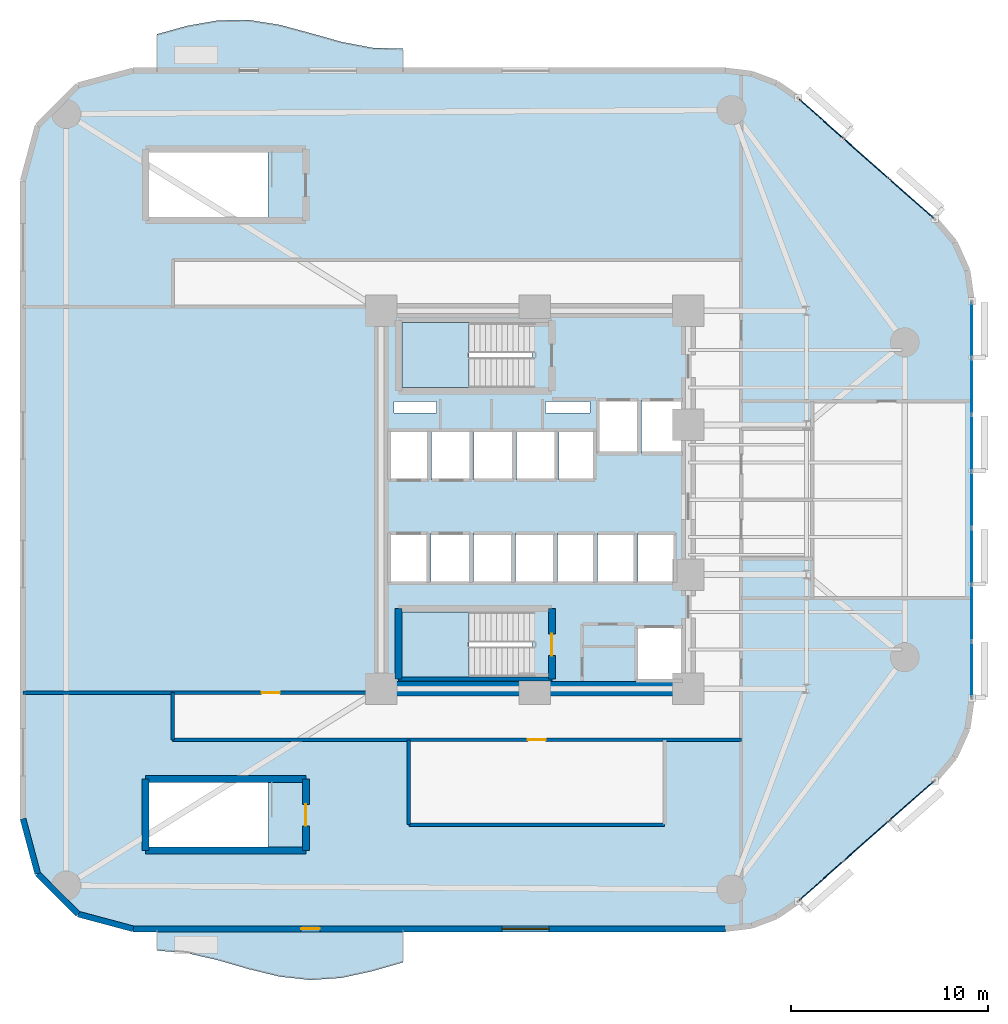
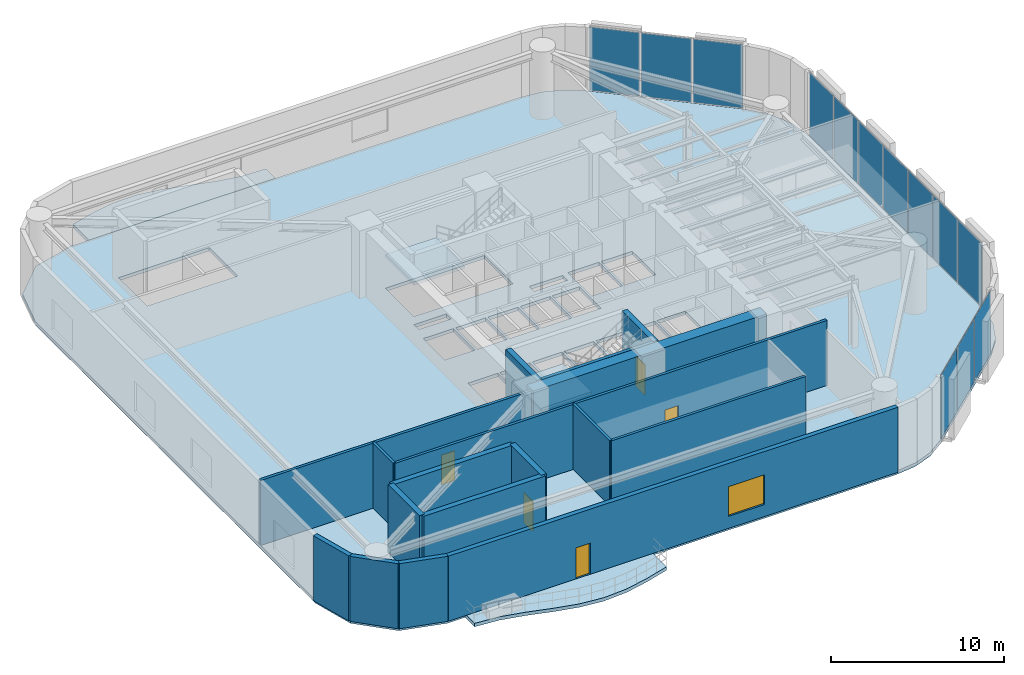
# One storey, part 8 of 13: 17 walls, 13 plates, 5 doors, 5 slabs, 1 window, 6 openings, 5 elements without a shape of their own.
"""IFC4 building model written with IfcOpenShell, lengths in metres."""

from ifc_helpers import new_model, si_unit, direction, frame, frame_2d, origin, origin_2d, place, context, subcontext, project, spatial, polyline, rectangle, outline, extrude, material, layer, layer_set, type_object, element, fill, aggregate, save


model = new_model("IFC4")

# Units and contexts
model_context = context("Model", 3, precision=1e-05, world=origin(), true_north=direction((0.0, 1.0)))
body_context = subcontext(model_context, "Body", "Model", "MODEL_VIEW")
ifc_project = project(units=[si_unit("LENGTHUNIT", "METRE"), si_unit("AREAUNIT", "SQUARE_METRE"), si_unit("VOLUMEUNIT", "CUBIC_METRE"), si_unit("PLANEANGLEUNIT", "RADIAN"), si_unit("MASSUNIT", "GRAM", prefix="KILO")], contexts=[model_context])

# Site, building, storey
site_placement = place(None, origin())
site = spatial("IfcSite", under=ifc_project, at=site_placement, CompositionType="ELEMENT")
building_placement = place(site_placement, origin())
building = spatial("IfcBuilding", under=site, at=building_placement, Name="An Khanh Terracotta Commons", CompositionType="ELEMENT")
storey_placement = place(building_placement, frame((0.0, 0.0, 24.0)))
storey = spatial("IfcBuildingStorey", under=building, at=storey_placement, Name="L06", CompositionType="ELEMENT", Elevation=24.0)

# Curtain wall, plates
ifc_material_1 = material(Name="Anodised Aluminium 6063-T6", Category="aluminium")
ifc_layer_1 = layer(ifc_material_1, 0.239990234375, Name="Anodised Aluminium 6063-T6")
ifc_layer_set_1 = layer_set([ifc_layer_1], Name="Anodised Aluminium 6063-T6")
curtain_wall_type = type_object("IfcCurtainWallType", Name="CW-SYS-04", PredefinedType="USERDEFINED", material=ifc_layer_set_1)
curtain_wall_1_placement = place(storey_placement, origin())
curtain_wall_1 = element("IfcCurtainWall", 1, at=curtain_wall_1_placement, inside=storey, type_object=curtain_wall_type, Name="L06 CW-04 Unitised Curtain Wall CW-L06-08", ObjectType="UNITISED CURTAIN WALL", PredefinedType="USERDEFINED")
ifc_material_2 = material(Name="Triple-Silver Sky-Lobby Glazing", Category="glass")
ifc_layer_2 = layer(ifc_material_2, 0.0400390625, Name="Triple-Silver Sky-Lobby Glazing")
ifc_layer_set_2 = layer_set([ifc_layer_2], Name="Triple-Silver Sky-Lobby Glazing")
plate_type = type_object("IfcPlateType", Name="CWP-IGU-40", PredefinedType="CURTAIN_PANEL", material=ifc_layer_set_2)
plate_1_placement = place(storey_placement, frame((43.95751953125, 4.6396484375, 0.06005859375), z_axis=(0.0, 0.0, 1.0), x_axis=(0.749019284633, 0.662548195415, 0.0)))
plate_1 = element("IfcPlate", 2, at=plate_1_placement, type_object=plate_type, Name="CW-04 panel 1.1", PredefinedType="CURTAIN_PANEL", context=body_context, shape_type="SweptSolid", body=[
    extrude(rectangle(XDim=2.9599609375, YDim=0.0400390625, at=origin_2d()), origin(), (0.0, 0.0, 1.0), 4.47998046875),
])
plate_2_placement = place(storey_placement, frame((46.24951171875, 6.6669921875, 0.06005859375), z_axis=(0.0, 0.0, 1.0), x_axis=(0.749019284633, 0.662548195415, 0.0)))
plate_2 = element("IfcPlate", 3, at=plate_2_placement, type_object=plate_type, Name="CW-04 panel 2.1", PredefinedType="CURTAIN_PANEL", context=body_context, shape_type="SweptSolid", body=[
    extrude(rectangle(XDim=3.0, YDim=0.0400390625, at=origin_2d()), origin(), (0.0, 0.0, 1.0), 4.47998046875),
])
plate_3_placement = place(storey_placement, frame((48.54150390625, 8.6943359375, 0.06005859375), z_axis=(0.0, 0.0, 1.0), x_axis=(0.749019284633, 0.662548195415, 0.0)))
plate_3 = element("IfcPlate", 4, at=plate_3_placement, type_object=plate_type, Name="CW-04 panel 3.1", PredefinedType="CURTAIN_PANEL", context=body_context, shape_type="SweptSolid", body=[
    extrude(rectangle(XDim=2.9599609375, YDim=0.0400390625, at=origin_2d()), origin(), (0.0, 0.0, 1.0), 4.47998046875),
])
aggregate(curtain_wall_1, [plate_1, plate_2, plate_3])

curtain_wall_2_placement = place(storey_placement, origin())
curtain_wall_2 = element("IfcCurtainWall", 5, at=curtain_wall_2_placement, inside=storey, type_object=curtain_wall_type, Name="L06 CW-04 Unitised Curtain Wall CW-L06-12", ObjectType="UNITISED CURTAIN WALL", PredefinedType="USERDEFINED")
plate_4_placement = place(storey_placement, frame((51.60009765625, 15.382568359375, 0.06005859375), z_axis=(0.0, 0.0, 1.0), x_axis=(0.0, 1.0, 0.0)))
plate_4 = element("IfcPlate", 6, at=plate_4_placement, type_object=plate_type, Name="CW-04 panel 1.1", PredefinedType="CURTAIN_PANEL", context=body_context, shape_type="SweptSolid", body=[
    extrude(rectangle(XDim=2.759033203125, YDim=0.0400390625, at=origin_2d()), origin(), (0.0, 0.0, 1.0), 4.47998046875),
])
plate_5_placement = place(storey_placement, frame((51.60009765625, 18.24169921875, 0.06005859375), z_axis=(0.0, 0.0, 1.0), x_axis=(0.0, 1.0, 0.0)))
plate_5 = element("IfcPlate", 7, at=plate_5_placement, type_object=plate_type, Name="CW-04 panel 2.1", PredefinedType="CURTAIN_PANEL", context=body_context, shape_type="SweptSolid", body=[
    extrude(rectangle(XDim=2.799072265625, YDim=0.0400390625, at=origin_2d()), origin(), (0.0, 0.0, 1.0), 4.47998046875),
])
plate_6_placement = place(storey_placement, frame((51.60009765625, 21.120849609375, 0.06005859375), z_axis=(0.0, 0.0, 1.0), x_axis=(0.0, 1.0, 0.0)))
plate_6 = element("IfcPlate", 8, at=plate_6_placement, type_object=plate_type, Name="CW-04 panel 3.1", PredefinedType="CURTAIN_PANEL", context=body_context, shape_type="SweptSolid", body=[
    extrude(rectangle(XDim=2.799072265625, YDim=0.0400390625, at=origin_2d()), origin(), (0.0, 0.0, 1.0), 4.47998046875),
])
plate_7_placement = place(storey_placement, frame((51.60009765625, 24.0, 0.06005859375), z_axis=(0.0, 0.0, 1.0), x_axis=(0.0, 1.0, 0.0)))
plate_7 = element("IfcPlate", 9, at=plate_7_placement, type_object=plate_type, Name="CW-04 panel 4.1", PredefinedType="CURTAIN_PANEL", context=body_context, shape_type="SweptSolid", body=[
    extrude(rectangle(XDim=2.799072265625, YDim=0.0400390625, at=origin_2d()), origin(), (0.0, 0.0, 1.0), 4.47998046875),
])
plate_8_placement = place(storey_placement, frame((51.60009765625, 26.879150390625, 0.06005859375), z_axis=(0.0, 0.0, 1.0), x_axis=(0.0, 1.0, 0.0)))
plate_8 = element("IfcPlate", 10, at=plate_8_placement, type_object=plate_type, Name="CW-04 panel 5.1", PredefinedType="CURTAIN_PANEL", context=body_context, shape_type="SweptSolid", body=[
    extrude(rectangle(XDim=2.799072265625, YDim=0.0400390625, at=origin_2d()), origin(), (0.0, 0.0, 1.0), 4.47998046875),
])
plate_9_placement = place(storey_placement, frame((51.60009765625, 29.75830078125, 0.06005859375), z_axis=(0.0, 0.0, 1.0), x_axis=(0.0, 1.0, 0.0)))
plate_9 = element("IfcPlate", 11, at=plate_9_placement, type_object=plate_type, Name="CW-04 panel 6.1", PredefinedType="CURTAIN_PANEL", context=body_context, shape_type="SweptSolid", body=[
    extrude(rectangle(XDim=2.799072265625, YDim=0.0400390625, at=origin_2d()), origin(), (0.0, 0.0, 1.0), 4.47998046875),
])
plate_10_placement = place(storey_placement, frame((51.60009765625, 32.617431640625, 0.06005859375), z_axis=(0.0, 0.0, 1.0), x_axis=(0.0, 1.0, 0.0)))
plate_10 = element("IfcPlate", 12, at=plate_10_placement, type_object=plate_type, Name="CW-04 panel 7.1", PredefinedType="CURTAIN_PANEL", context=body_context, shape_type="SweptSolid", body=[
    extrude(rectangle(XDim=2.759033203125, YDim=0.0400390625, at=origin_2d()), origin(), (0.0, 0.0, 1.0), 4.47998046875),
])
aggregate(curtain_wall_2, [plate_4, plate_5, plate_6, plate_7, plate_8, plate_9, plate_10])

curtain_wall_3_placement = place(storey_placement, origin())
curtain_wall_3 = element("IfcCurtainWall", 13, at=curtain_wall_3_placement, inside=storey, type_object=curtain_wall_type, Name="L06 CW-04 Unitised Curtain Wall CW-L06-16", ObjectType="UNITISED CURTAIN WALL", PredefinedType="USERDEFINED")
plate_11_placement = place(storey_placement, frame((48.54150390625, 39.3056640625, 0.06005859375), z_axis=(0.0, 0.0, 1.0), x_axis=(-0.749019284633, 0.662548195415, 0.0)))
plate_11 = element("IfcPlate", 14, at=plate_11_placement, type_object=plate_type, Name="CW-04 panel 1.1", PredefinedType="CURTAIN_PANEL", context=body_context, shape_type="SweptSolid", body=[
    extrude(rectangle(XDim=2.9599609375, YDim=0.0400390625, at=origin_2d()), origin(), (0.0, 0.0, 1.0), 4.47998046875),
])
plate_12_placement = place(storey_placement, frame((46.24951171875, 41.3330078125, 0.06005859375), z_axis=(0.0, 0.0, 1.0), x_axis=(-0.749019284633, 0.662548195415, 0.0)))
plate_12 = element("IfcPlate", 15, at=plate_12_placement, type_object=plate_type, Name="CW-04 panel 2.1", PredefinedType="CURTAIN_PANEL", context=body_context, shape_type="SweptSolid", body=[
    extrude(rectangle(XDim=3.0, YDim=0.0400390625, at=origin_2d()), origin(), (0.0, 0.0, 1.0), 4.47998046875),
])
plate_13_placement = place(storey_placement, frame((43.95751953125, 43.3603515625, 0.06005859375), z_axis=(0.0, 0.0, 1.0), x_axis=(-0.749019284633, 0.662548195415, 0.0)))
plate_13 = element("IfcPlate", 16, at=plate_13_placement, type_object=plate_type, Name="CW-04 panel 3.1", PredefinedType="CURTAIN_PANEL", context=body_context, shape_type="SweptSolid", body=[
    extrude(rectangle(XDim=2.9599609375, YDim=0.0400390625, at=origin_2d()), origin(), (0.0, 0.0, 1.0), 4.47998046875),
])
aggregate(curtain_wall_3, [plate_11, plate_12, plate_13])

# Slabs
ifc_material_3 = material(Name="Concrete C40/50", Category="concrete")
ifc_layer_3 = layer(ifc_material_3, 0.239990234375, Name="Concrete C40/50")
ifc_layer_set_3 = layer_set([ifc_layer_3], Name="Concrete C40/50")
slab_type_1 = type_object("IfcSlabType", Name="SLAB-BALC-240", PredefinedType="FLOOR", material=ifc_layer_set_3)
slab_1_placement = place(storey_placement, frame((0.0, 0.0, -0.239990234375)))
element("IfcSlab", 17, at=slab_1_placement, inside=storey, type_object=slab_type_1, Name="L06 S Sinusoidal Wave Balcony Slab", PredefinedType="FLOOR", context=body_context, shape_type="SweptSolid", body=[
    extrude(outline(polyline([(10.199951171875, 2.199951171875), (10.199951171875, 1.10009765625), (11.761962890625, 0.962890625), (13.324951171875, 0.60302734375), (14.886962890625, 0.14990234375), (16.449951171875, -0.22998046875), (18.011962890625, -0.39794921875), (19.574951171875, -0.29296875), (21.136962890625, 0.0458984375), (22.699951171875, 0.49609375), (22.699951171875, 2.199951171875), (10.199951171875, 2.199951171875)])), origin(), (0.0, 0.0, 1.0), 0.239990234375),
])
slab_2_placement = place(storey_placement, frame((0.0, 0.0, -0.239990234375)))
element("IfcSlab", 18, at=slab_2_placement, inside=storey, type_object=slab_type_1, Name="L06 N Sinusoidal Wave Balcony Slab", PredefinedType="FLOOR", context=body_context, shape_type="SweptSolid", body=[
    extrude(outline(polyline([(22.699951171875, 45.800048828125), (22.699951171875, 46.9140625), (21.136962890625, 46.964111328125), (19.574951171875, 47.263916015625), (18.011962890625, 47.705078125), (16.449951171875, 48.1259765625), (14.886962890625, 48.373046875), (13.324951171875, 48.35595703125), (11.761962890625, 48.08203125), (10.199951171875, 47.64990234375), (10.199951171875, 45.800048828125), (22.699951171875, 45.800048828125)])), origin(), (0.0, 0.0, 1.0), 0.239990234375),
])

# Stair, slab
ifc_material_4 = material(Name="Precast concrete C40/50", Category="concrete")
stair_type = type_object("IfcStairType", Name="STAIR-CORE-1550", PredefinedType="HALF_TURN_STAIR", material=ifc_material_4)
stair_1_placement = place(storey_placement, origin())
stair_1 = element("IfcStair", 19, at=stair_1_placement, inside=storey, type_object=stair_type, Name="L06 Core Smokeproof Exit Stair ST-01", PredefinedType="HALF_TURN_STAIR")
ifc_layer_4 = layer(ifc_material_3, 0.18994140625, Name="Concrete C40/50")
ifc_layer_set_4 = layer_set([ifc_layer_4], Name="Concrete C40/50")
slab_type_2 = type_object("IfcSlabType", Name="SLAB-LANDING-190", PredefinedType="LANDING", material=ifc_layer_set_4)
slab_3_placement = place(storey_placement, frame((0.0, 0.0, 2.199951171875)))
slab_3 = element("IfcSlab", 20, at=slab_3_placement, type_object=slab_type_2, Name="ST-01 landing 1", PredefinedType="LANDING", context=body_context, shape_type="SweptSolid", body=[
    extrude(outline(polyline([(26.050048828125, 33.0), (22.64990234375, 33.0), (22.64990234375, 29.699951171875), (26.050048828125, 29.699951171875), (26.050048828125, 33.0)])), origin(), (0.0, 0.0, 1.0), 0.199951171875),
])
aggregate(stair_1, [slab_3])

stair_2_placement = place(storey_placement, origin())
stair_2 = element("IfcStair", 21, at=stair_2_placement, inside=storey, type_object=stair_type, Name="L06 Core Smokeproof Exit Stair ST-02", PredefinedType="HALF_TURN_STAIR")
slab_4_placement = place(storey_placement, frame((0.0, 0.0, 2.199951171875)))
slab_4 = element("IfcSlab", 22, at=slab_4_placement, type_object=slab_type_2, Name="ST-02 landing 1", PredefinedType="LANDING", context=body_context, shape_type="SweptSolid", body=[
    extrude(outline(polyline([(26.050048828125, 18.300048828125), (22.64990234375, 18.300048828125), (22.64990234375, 15.0), (26.050048828125, 15.0), (26.050048828125, 18.300048828125)])), origin(), (0.0, 0.0, 1.0), 0.199951171875),
])
aggregate(stair_2, [slab_4])

# Slab
ifc_layer_5 = layer(ifc_material_3, 0.239990234375, Name="Concrete C40/50")
ifc_layer_set_5 = layer_set([ifc_layer_5], Name="Concrete C40/50")
slab_type_3 = type_object("IfcSlabType", Name="SLAB-SKY-240", PredefinedType="FLOOR", material=ifc_layer_set_5)
slab_5_placement = place(storey_placement, frame((0.0, 0.0, -0.239990234375)))
element("IfcSlab", 23, at=slab_5_placement, inside=storey, type_object=slab_type_3, Name="L06 Structural Floor Slab", PredefinedType="FLOOR", context=body_context, shape_type="SweptSolid", body=[
    extrude(outline(polyline([(3.39990234375, 7.800048828125), (4.14990234375, 5.0), (6.199951171875, 2.949951171875), (9.0, 2.199951171875), (39.0791015625, 2.199951171875), (40.4169921875, 2.362060546875), (41.678955078125, 2.840087890625), (42.7890625, 3.60595703125), (49.7099609375, 9.72802734375), (50.73193359375, 10.927978515625), (51.37890625, 12.363037109375), (51.60009765625, 13.923095703125), (51.60009765625, 34.076904296875), (51.37890625, 35.636962890625), (50.73193359375, 37.072021484375), (49.7099609375, 38.27197265625), (42.7890625, 44.39404296875), (41.678955078125, 45.159912109375), (40.4169921875, 45.637939453125), (39.0791015625, 45.800048828125), (9.0, 45.800048828125), (6.199951171875, 45.050048828125), (4.14990234375, 43.0), (3.39990234375, 40.199951171875), (3.39990234375, 7.800048828125)]), holes=[polyline([(22.64990234375, 29.699951171875), (29.27001953125, 29.699951171875), (29.27001953125, 33.0), (22.64990234375, 33.0), (22.64990234375, 29.699951171875)]), polyline([(22.64990234375, 15.0), (29.27001953125, 15.0), (29.27001953125, 18.300048828125), (22.64990234375, 18.300048828125), (22.64990234375, 15.0)]), polyline([(9.800048828125, 6.35009765625), (15.860107421875, 6.35009765625), (15.860107421875, 9.64990234375), (9.800048828125, 9.64990234375), (9.800048828125, 6.35009765625)]), polyline([(9.800048828125, 38.35009765625), (15.860107421875, 38.35009765625), (15.860107421875, 41.64990234375), (9.800048828125, 41.64990234375), (9.800048828125, 38.35009765625)]), polyline([(32.60009765625, 26.35009765625), (34.679931640625, 26.35009765625), (34.679931640625, 29.080078125), (32.60009765625, 29.080078125), (32.60009765625, 26.35009765625)]), polyline([(34.820068359375, 26.35009765625), (36.89990234375, 26.35009765625), (36.89990234375, 29.080078125), (34.820068359375, 29.080078125), (34.820068359375, 26.35009765625)]), polyline([(34.550048828125, 14.800048828125), (36.89990234375, 14.800048828125), (36.89990234375, 17.550048828125), (34.550048828125, 17.550048828125), (34.550048828125, 14.800048828125)]), polyline([(22.0, 25.0), (24.02001953125, 25.0), (24.02001953125, 27.5), (22.0, 27.5), (22.0, 25.0)]), polyline([(24.159912109375, 25.0), (26.179931640625, 25.0), (26.179931640625, 27.5), (24.159912109375, 27.5), (24.159912109375, 25.0)]), polyline([(22.0, 19.800048828125), (24.0, 19.800048828125), (24.0, 22.300048828125), (22.0, 22.300048828125), (22.0, 19.800048828125)]), polyline([(24.139892578125, 19.800048828125), (26.139892578125, 19.800048828125), (26.139892578125, 22.300048828125), (24.139892578125, 22.300048828125), (24.139892578125, 19.800048828125)]), polyline([(26.320068359375, 25.0), (28.340087890625, 25.0), (28.340087890625, 27.5), (26.320068359375, 27.5), (26.320068359375, 25.0)]), polyline([(28.47998046875, 25.0), (30.5, 25.0), (30.5, 27.5), (28.47998046875, 27.5), (28.47998046875, 25.0)]), polyline([(26.280029296875, 19.800048828125), (28.280029296875, 19.800048828125), (28.280029296875, 22.300048828125), (26.280029296875, 22.300048828125), (26.280029296875, 19.800048828125)]), polyline([(28.419921875, 19.800048828125), (30.419921875, 19.800048828125), (30.419921875, 22.300048828125), (28.419921875, 22.300048828125), (28.419921875, 19.800048828125)]), polyline([(30.639892578125, 25.0), (32.4599609375, 25.0), (32.4599609375, 27.5), (30.639892578125, 27.5), (30.639892578125, 25.0)]), polyline([(30.56005859375, 19.800048828125), (32.4599609375, 19.800048828125), (32.4599609375, 22.300048828125), (30.56005859375, 22.300048828125), (30.56005859375, 19.800048828125)]), polyline([(32.60009765625, 19.800048828125), (34.5, 19.800048828125), (34.5, 22.300048828125), (32.60009765625, 22.300048828125), (32.60009765625, 19.800048828125)]), polyline([(34.639892578125, 19.800048828125), (36.5400390625, 19.800048828125), (36.5400390625, 22.300048828125), (34.639892578125, 22.300048828125), (34.639892578125, 19.800048828125)]), polyline([(22.25, 28.419921875), (24.39990234375, 28.419921875), (24.39990234375, 28.97998046875), (22.25, 28.97998046875), (22.25, 28.419921875)]), polyline([(29.949951171875, 28.419921875), (32.199951171875, 28.419921875), (32.199951171875, 28.97998046875), (29.949951171875, 28.97998046875), (29.949951171875, 28.419921875)])]), origin(), (0.0, 0.0, 1.0), 0.239990234375),
])

# Walls
ifc_material_5 = material(Name="Concrete C70/85", Category="concrete")
ifc_layer_6 = layer(ifc_material_5, 0.75, Name="Concrete C70/85")
ifc_layer_set_6 = layer_set([ifc_layer_6], Name="Concrete C70/85")
wall_type_1 = type_object("IfcWallType", Name="WALL-CORE-750", PredefinedType="SHEAR", material=ifc_layer_set_6)
wall_1_placement = place(storey_placement, frame((37.199951171875, 14.39990234375, 0.0), z_axis=(0.0, 0.0, 1.0), x_axis=(-1.0, 0.0, 0.0)))
element("IfcWall", 24, at=wall_1_placement, inside=storey, type_object=wall_type_1, Name="L06 Core Wall CWALL-L06-S", PredefinedType="SHEAR", context=body_context, shape_type="SweptSolid", body=[
    extrude(rectangle(XDim=15.599853515625, YDim=0.75, at=frame_2d((7.7998046875, 0.0))), origin(), (0.0, 0.0, 1.0), 4.60009765625),
])
ifc_material_6 = material(Name="Fire-Rated Gypsum Board on Steel Stud", Category="steel")
ifc_layer_7 = layer(ifc_material_6, 0.179931640625, Name="Fire-Rated Gypsum Board on Steel Stud")
ifc_layer_set_7 = layer_set([ifc_layer_7], Name="Fire-Rated Gypsum Board on Steel Stud")
wall_type_2 = type_object("IfcWallType", Name="WALL-CORR-180", PredefinedType="PARTITIONING", material=ifc_layer_set_7)
wall_2_placement = place(storey_placement, frame((23.0, 7.5, 0.0), z_axis=(0.0, 0.0, 1.0), x_axis=(1.0, 0.0, 0.0)))
element("IfcWall", 25, at=wall_2_placement, inside=storey, type_object=wall_type_2, Name="L06 Interior Partition IW-L06-E001", PredefinedType="PARTITIONING", context=body_context, shape_type="SweptSolid", body=[
    extrude(rectangle(XDim=13.0, YDim=0.179931640625, at=frame_2d((6.5, 0.0))), origin(), (0.0, 0.0, 1.0), 4.60009765625),
])

# Wall, opening, door
wall_3_placement = place(storey_placement, frame((11.0, 11.800048828125, 0.0), z_axis=(0.0, 0.0, 1.0), x_axis=(1.0, 0.0, 0.0)))
wall_3 = element("IfcWall", 26, at=wall_3_placement, inside=storey, type_object=wall_type_2, Name="L06 Interior Partition IW-L06-E002", PredefinedType="PARTITIONING", context=body_context, shape_type="SweptSolid", body=[
    extrude(rectangle(XDim=28.89990234375, YDim=0.179931640625, at=frame_2d((14.449951171875, 0.0))), origin(), (0.0, 0.0, 1.0), 4.60009765625),
])
opening_1_placement = place(wall_3_placement, frame((18.050048828125, 0.0, 0.0)))
opening_1 = element("IfcOpeningElement", 27, at=opening_1_placement, cuts=wall_3, Name="Opening D-SV", PredefinedType="OPENING", context=body_context, shape_type="SweptSolid", body=[
    extrude(rectangle(XDim=0.89990234375, YDim=2.050048828125, at=frame_2d((0.449951171875, 1.02490234375))), frame((0.0, 0.099853515625, 0.0), z_axis=(0.0, -1.0, 0.0), x_axis=(1.0, 0.0, 0.0)), (0.0, 0.0, 1.0), 0.199951171875),
])
ifc_material_7 = material(Name="Fire-Rated Powder-Coated Steel Door", Category="steel")
door_type_1 = type_object("IfcDoorType", Name="DOOR-SERV-900", OperationType="NOTDEFINED", PredefinedType="DOOR", material=ifc_material_7)
door_1_placement = place(opening_1_placement, origin())
door_1 = element("IfcDoor", 28, at=door_1_placement, inside=storey, type_object=door_type_1, Name="L06 HKP Sky Lobby Pantry Store Door", OperationType="SINGLE_SWING_LEFT", OverallHeight=2.050048828125, OverallWidth=0.89990234375, PredefinedType="DOOR", context=body_context, shape_type="SweptSolid", body=[
    extrude(rectangle(XDim=0.89990234375, YDim=2.050048828125, at=frame_2d((0.449951171875, 1.02490234375))), frame((0.0, 0.02490234375, 0.0), z_axis=(0.0, -1.0, 0.0), x_axis=(1.0, 0.0, 0.0)), (0.0, 0.0, 1.0), 0.050048828125),
])
fill(opening_1, door_1)

wall_4_placement = place(storey_placement, frame((3.39990234375, 14.199951171875, 0.0), z_axis=(0.0, 0.0, 1.0), x_axis=(1.0, 0.0, 0.0)))
wall_4 = element("IfcWall", 29, at=wall_4_placement, inside=storey, type_object=wall_type_2, Name="L06 Interior Partition IW-L06-E003", PredefinedType="PARTITIONING", context=body_context, shape_type="SweptSolid", body=[
    extrude(rectangle(XDim=18.10009765625, YDim=0.179931640625, at=frame_2d((9.050048828125, 0.0))), origin(), (0.0, 0.0, 1.0), 4.60009765625),
])
opening_2_placement = place(wall_4_placement, frame((12.1298828125, 0.0, 0.0)))
opening_2 = element("IfcOpeningElement", 30, at=opening_2_placement, cuts=wall_4, Name="Opening D-RM", PredefinedType="OPENING", context=body_context, shape_type="SweptSolid", body=[
    extrude(rectangle(XDim=0.919921875, YDim=2.10009765625, at=frame_2d((0.4599609375, 1.050048828125))), frame((0.0, 0.099853515625, 0.0), z_axis=(0.0, -1.0, 0.0), x_axis=(1.0, 0.0, 0.0)), (0.0, 0.0, 1.0), 0.199951171875),
])
ifc_material_8 = material(Name="Engineered Hardwood Timber Leaf", Category="wood")
door_type_2 = type_object("IfcDoorType", Name="DOOR-INT-920", OperationType="NOTDEFINED", PredefinedType="DOOR", material=ifc_material_8)
door_2_placement = place(opening_2_placement, origin())
door_2 = element("IfcDoor", 31, at=door_2_placement, inside=storey, type_object=door_type_2, Name="L06 SWST Group Seminar Room Door", OperationType="SINGLE_SWING_RIGHT", OverallHeight=2.10009765625, OverallWidth=0.919921875, PredefinedType="DOOR", context=body_context, shape_type="SweptSolid", body=[
    extrude(rectangle(XDim=0.919921875, YDim=2.10009765625, at=frame_2d((0.4599609375, 1.050048828125))), frame((0.0, 0.02490234375, 0.0), z_axis=(0.0, -1.0, 0.0), x_axis=(1.0, 0.0, 0.0)), (0.0, 0.0, 1.0), 0.050048828125),
])
fill(opening_2, door_2)

# Walls
wall_5_placement = place(storey_placement, frame((11.0, 11.800048828125, 0.0), z_axis=(0.0, 0.0, 1.0), x_axis=(0.0, 1.0, 0.0)))
element("IfcWall", 32, at=wall_5_placement, inside=storey, type_object=wall_type_2, Name="L06 Interior Partition IW-L06-E011", PredefinedType="PARTITIONING", context=body_context, shape_type="SweptSolid", body=[
    extrude(rectangle(XDim=2.39990234375, YDim=0.179931640625, at=frame_2d((1.199951171875, 0.0))), origin(), (0.0, 0.0, 1.0), 4.60009765625),
])
wall_6_placement = place(storey_placement, frame((23.0, 7.5, 0.0), z_axis=(0.0, 0.0, 1.0), x_axis=(0.0, 1.0, 0.0)))
element("IfcWall", 33, at=wall_6_placement, inside=storey, type_object=wall_type_2, Name="L06 Interior Partition IW-L06-E013", PredefinedType="PARTITIONING", context=body_context, shape_type="SweptSolid", body=[
    extrude(rectangle(XDim=4.300048828125, YDim=0.179931640625, at=frame_2d((2.14990234375, 0.0))), origin(), (0.0, 0.0, 1.0), 4.60009765625),
])
ifc_layer_8 = layer(ifc_material_4, 0.300048828125, Name="Precast concrete C40/50")
ifc_layer_set_8 = layer_set([ifc_layer_8], Name="Precast concrete C40/50")
wall_type_3 = type_object("IfcWallType", Name="WALL-EXT-300", PredefinedType="SOLIDWALL", material=ifc_layer_set_8)
wall_7_placement = place(storey_placement, frame((3.39990234375, 7.800048828125, 0.0), z_axis=(0.0, 0.0, 1.0), x_axis=(0.258731875344, -0.96594917914, 0.0)))
element("IfcWall", 34, at=wall_7_placement, inside=storey, type_object=wall_type_3, Name="L06 Insulated Terracotta Exterior Wall 1", PredefinedType="SOLIDWALL", context=body_context, shape_type="SweptSolid", body=[
    extrude(rectangle(XDim=2.898681640625, YDim=0.300048828125, at=frame_2d((1.44921875, 0.0))), origin(), (0.0, 0.0, 1.0), 4.60009765625),
])
wall_8_placement = place(storey_placement, frame((4.14990234375, 5.0, 0.0), z_axis=(0.0, 0.0, 1.0), x_axis=(0.707106781187, -0.707106781187, 0.0)))
element("IfcWall", 35, at=wall_8_placement, inside=storey, type_object=wall_type_3, Name="L06 Insulated Terracotta Exterior Wall 2", PredefinedType="SOLIDWALL", context=body_context, shape_type="SweptSolid", body=[
    extrude(rectangle(XDim=2.899169921875, YDim=0.300048828125, at=frame_2d((1.44970703125, 0.0))), origin(), (0.0, 0.0, 1.0), 4.60009765625),
])
wall_9_placement = place(storey_placement, frame((6.199951171875, 2.949951171875, 0.0), z_axis=(0.0, 0.0, 1.0), x_axis=(0.96594917914, -0.258731875344, 0.0)))
element("IfcWall", 36, at=wall_9_placement, inside=storey, type_object=wall_type_3, Name="L06 Insulated Terracotta Exterior Wall 3", PredefinedType="SOLIDWALL", context=body_context, shape_type="SweptSolid", body=[
    extrude(rectangle(XDim=2.898681640625, YDim=0.300048828125, at=frame_2d((1.44921875, 0.0))), origin(), (0.0, 0.0, 1.0), 4.60009765625),
])

# Wall, openings, door, window
wall_10_placement = place(storey_placement, frame((9.0, 2.199951171875, 0.0), z_axis=(0.0, 0.0, 1.0), x_axis=(1.0, 0.0, 0.0)))
wall_10 = element("IfcWall", 37, at=wall_10_placement, inside=storey, type_object=wall_type_3, Name="L06 Insulated Terracotta Exterior Wall 4", PredefinedType="SOLIDWALL", context=body_context, shape_type="SweptSolid", body=[
    extrude(rectangle(XDim=30.0791015625, YDim=0.300048828125, at=frame_2d((15.03955078125, 0.0))), origin(), (0.0, 0.0, 1.0), 4.60009765625),
])
opening_3_placement = place(wall_10_placement, frame((8.537109375, 0.0, 0.0)))
opening_3 = element("IfcOpeningElement", 38, at=opening_3_placement, cuts=wall_10, Name="Opening D-BAL", PredefinedType="OPENING", context=body_context, shape_type="SweptSolid", body=[
    extrude(rectangle(XDim=0.949951171875, YDim=2.199951171875, at=frame_2d((0.47509765625, 1.10009765625))), frame((0.0, 0.159912109375, 0.0), z_axis=(0.0, -1.0, 0.0), x_axis=(1.0, 0.0, 0.0)), (0.0, 0.0, 1.0), 0.320068359375),
])
opening_4_placement = place(wall_10_placement, frame((18.736083984375, 0.0, 0.85009765625)))
opening_4 = element("IfcOpeningElement", 39, at=opening_4_placement, cuts=wall_10, Name="Opening W-07", PredefinedType="OPENING", context=body_context, shape_type="SweptSolid", body=[
    extrude(rectangle(XDim=2.39990234375, YDim=2.10009765625, at=frame_2d((1.199951171875, 1.050048828125))), frame((0.0, 0.159912109375, 0.0), z_axis=(0.0, -1.0, 0.0), x_axis=(1.0, 0.0, 0.0)), (0.0, 0.0, 1.0), 0.320068359375),
])
ifc_material_9 = material(Name="Thermally Broken Aluminium and Low-E Glass", Category="aluminium")
door_type_3 = type_object("IfcDoorType", Name="DOOR-BALC-950", OperationType="NOTDEFINED", PredefinedType="DOOR", material=ifc_material_9)
door_3_placement = place(opening_3_placement, origin())
door_3 = element("IfcDoor", 40, at=door_3_placement, inside=storey, type_object=door_type_3, Name="L06 S Wave Balcony Glazed Door", OperationType="SINGLE_SWING_LEFT", OverallHeight=2.199951171875, OverallWidth=0.949951171875, PredefinedType="DOOR", context=body_context, shape_type="SweptSolid", body=[
    extrude(rectangle(XDim=0.949951171875, YDim=2.199951171875, at=frame_2d((0.47509765625, 1.10009765625))), frame((0.0, 0.02490234375, 0.0), z_axis=(0.0, -1.0, 0.0), x_axis=(1.0, 0.0, 0.0)), (0.0, 0.0, 1.0), 0.050048828125),
])
fill(opening_3, door_3)
window_type = type_object("IfcWindowType", Name="WIN-SKY-2400x2100", PartitioningType="TRIPLE_PANEL_VERTICAL", PredefinedType="WINDOW", material=ifc_material_9)
window_placement = place(opening_4_placement, origin())
window = element("IfcWindow", 41, at=window_placement, inside=storey, type_object=window_type, Name="L06 Operable Casement Window 4.1", OverallHeight=2.10009765625, OverallWidth=2.39990234375, PartitioningType="TRIPLE_PANEL_VERTICAL", PredefinedType="WINDOW", context=body_context, shape_type="SweptSolid", body=[
    extrude(rectangle(XDim=2.39990234375, YDim=2.10009765625, at=frame_2d((1.199951171875, 1.050048828125))), frame((0.0, 0.030029296875, 0.0), z_axis=(0.0, -1.0, 0.0), x_axis=(1.0, 0.0, 0.0)), (0.0, 0.0, 1.0), 0.06005859375),
])
fill(opening_4, window)

# Walls
ifc_material_10 = material(Name="Acoustic Double-Stud Gypsum and Mineral Wool")
ifc_layer_9 = layer(ifc_material_10, 0.219970703125, Name="Acoustic Double-Stud Gypsum and Mineral Wool")
ifc_layer_set_9 = layer_set([ifc_layer_9], Name="Acoustic Double-Stud Gypsum and Mineral Wool")
wall_type_4 = type_object("IfcWallType", Name="WALL-PARTY-220", PredefinedType="PARTITIONING", material=ifc_layer_set_9)
wall_11_placement = place(storey_placement, frame((22.47998046875, 14.889892578125, 0.0), z_axis=(0.0, 0.0, 1.0), x_axis=(1.0, 0.0, 0.0)))
element("IfcWall", 42, at=wall_11_placement, inside=storey, type_object=wall_type_4, Name="L06 Core Wall STW-L06-S-S", PredefinedType="PARTITIONING", context=body_context, shape_type="SweptSolid", body=[
    extrude(rectangle(XDim=7.7900390625, YDim=0.219970703125, at=frame_2d((3.89501953125, 0.0))), origin(), (0.0, 0.0, 1.0), 4.60009765625),
])
ifc_material_11 = material(Name="Concrete C50/60", Category="concrete")
ifc_layer_10 = layer(ifc_material_11, 0.35009765625, Name="Concrete C50/60")
ifc_layer_set_10 = layer_set([ifc_layer_10], Name="Concrete C50/60")
wall_type_5 = type_object("IfcWallType", Name="WALL-SHAFT-350", PredefinedType="SOLIDWALL", material=ifc_layer_set_10)
wall_12_placement = place(storey_placement, frame((9.6298828125, 6.179931640625, 0.0), z_axis=(0.0, 0.0, 1.0), x_axis=(0.0, 1.0, 0.0)))
element("IfcWall", 43, at=wall_12_placement, inside=storey, type_object=wall_type_5, Name="L06 Podium Stair ST-P1 W Wall", PredefinedType="SOLIDWALL", context=body_context, shape_type="SweptSolid", body=[
    extrude(rectangle(XDim=3.64013671875, YDim=0.35009765625, at=frame_2d((1.820068359375, 0.0))), origin(), (0.0, 0.0, 1.0), 4.800048828125),
])
for number, where, z_axis, x_axis, name in (
    (44, (9.6298828125, 9.820068359375, 0.0), (0.0, 0.0, 1.0), (1.0, 0.0, 0.0), "L06 Podium Stair ST-P1 N Wall"),
    (45, (17.77001953125, 6.179931640625, 0.0), (0.0, 0.0, 1.0), (-1.0, 0.0, 0.0), "L06 Podium Stair ST-P1 S Wall"),
):
    element("IfcWall", number, at=place(storey_placement, frame(where, z_axis=z_axis, x_axis=x_axis)), inside=storey, type_object=wall_type_5, Name=name, PredefinedType="SOLIDWALL", context=body_context, shape_type="SweptSolid", body=[
        extrude(rectangle(XDim=8.14013671875, YDim=0.35009765625, at=frame_2d((4.070068359375, 0.0))), origin(), (0.0, 0.0, 1.0), 4.800048828125),
    ])

# Wall, opening, door
wall_13_placement = place(storey_placement, frame((17.77001953125, 6.179931640625, 0.0), z_axis=(0.0, 0.0, 1.0), x_axis=(0.0, 1.0, 0.0)))
wall_13 = element("IfcWall", 46, at=wall_13_placement, inside=storey, type_object=wall_type_5, Name="L06 Podium Stair ST-P1 E Wall", PredefinedType="SOLIDWALL", context=body_context, shape_type="SweptSolid", body=[
    extrude(rectangle(XDim=3.64013671875, YDim=0.35009765625, at=frame_2d((1.820068359375, 0.0))), origin(), (0.0, 0.0, 1.0), 4.800048828125),
])
opening_5_placement = place(wall_13_placement, frame((1.25, 0.0, 0.0)))
opening_5 = element("IfcOpeningElement", 47, at=opening_5_placement, cuts=wall_13, Name="Opening D-ST", PredefinedType="OPENING", context=body_context, shape_type="SweptSolid", body=[
    extrude(rectangle(XDim=1.10009765625, YDim=2.14990234375, at=frame_2d((0.550048828125, 1.074951171875))), frame((0.0, 0.18505859375, 0.0), z_axis=(0.0, -1.0, 0.0), x_axis=(1.0, 0.0, 0.0)), (0.0, 0.0, 1.0), 0.3701171875),
])
ifc_material_12 = material(Name="Fire-Rated Steel Leaf and Frame", Category="steel")
door_type_4 = type_object("IfcDoorType", Name="DOOR-STAIR-1100", OperationType="NOTDEFINED", PredefinedType="DOOR", material=ifc_material_12)
door_4_placement = place(opening_5_placement, origin())
door_4 = element("IfcDoor", 48, at=door_4_placement, inside=storey, type_object=door_type_4, Name="L06 Podium Stair ST-P1 Fire Door", OperationType="SINGLE_SWING_LEFT", OverallHeight=2.14990234375, OverallWidth=1.10009765625, PredefinedType="DOOR", context=body_context, shape_type="SweptSolid", body=[
    extrude(rectangle(XDim=1.10009765625, YDim=2.14990234375, at=frame_2d((0.550048828125, 1.074951171875))), frame((0.0, 0.02490234375, 0.0), z_axis=(0.0, -1.0, 0.0), x_axis=(1.0, 0.0, 0.0)), (0.0, 0.0, 1.0), 0.050048828125),
])
fill(opening_5, door_4)

# Wall
wall_14_placement = place(storey_placement, frame((22.47998046875, 14.889892578125, 0.0), z_axis=(0.0, 0.0, 1.0), x_axis=(0.0, 1.0, 0.0)))
element("IfcWall", 49, at=wall_14_placement, inside=storey, type_object=wall_type_5, Name="L06 Core Wall STW-L06-S-W", PredefinedType="SOLIDWALL", context=body_context, shape_type="SweptSolid", body=[
    extrude(rectangle(XDim=3.580078125, YDim=0.35009765625, at=frame_2d((1.7900390625, 0.0))), origin(), (0.0, 0.0, 1.0), 4.60009765625),
])

# Wall, opening, door
wall_15_placement = place(storey_placement, frame((30.27001953125, 14.889892578125, 0.0), z_axis=(0.0, 0.0, 1.0), x_axis=(0.0, 1.0, 0.0)))
wall_15 = element("IfcWall", 50, at=wall_15_placement, inside=storey, type_object=wall_type_5, Name="L06 Core Wall STW-L06-S-E", PredefinedType="SOLIDWALL", context=body_context, shape_type="SweptSolid", body=[
    extrude(rectangle(XDim=3.580078125, YDim=0.35009765625, at=frame_2d((1.7900390625, 0.0))), origin(), (0.0, 0.0, 1.0), 4.60009765625),
])
opening_6_placement = place(wall_15_placement, frame((1.18994140625, 0.0, 0.0)))
opening_6 = element("IfcOpeningElement", 51, at=opening_6_placement, cuts=wall_15, Name="Opening D-ST", PredefinedType="OPENING", context=body_context, shape_type="SweptSolid", body=[
    extrude(rectangle(XDim=1.10009765625, YDim=2.14990234375, at=frame_2d((0.550048828125, 1.074951171875))), frame((0.0, 0.18505859375, 0.0), z_axis=(0.0, -1.0, 0.0), x_axis=(1.0, 0.0, 0.0)), (0.0, 0.0, 1.0), 0.3701171875),
])
door_5_placement = place(opening_6_placement, origin())
door_5 = element("IfcDoor", 52, at=door_5_placement, inside=storey, type_object=door_type_4, Name="L06 Stair ST-02 Fire Door", OperationType="SINGLE_SWING_RIGHT", OverallHeight=2.14990234375, OverallWidth=1.10009765625, PredefinedType="DOOR", context=body_context, shape_type="SweptSolid", body=[
    extrude(rectangle(XDim=1.10009765625, YDim=2.14990234375, at=frame_2d((0.550048828125, 1.074951171875))), frame((0.0, 0.02490234375, 0.0), z_axis=(0.0, -1.0, 0.0), x_axis=(1.0, 0.0, 0.0)), (0.0, 0.0, 1.0), 0.050048828125),
])
fill(opening_6, door_5)

save(model, "model.ifc")
